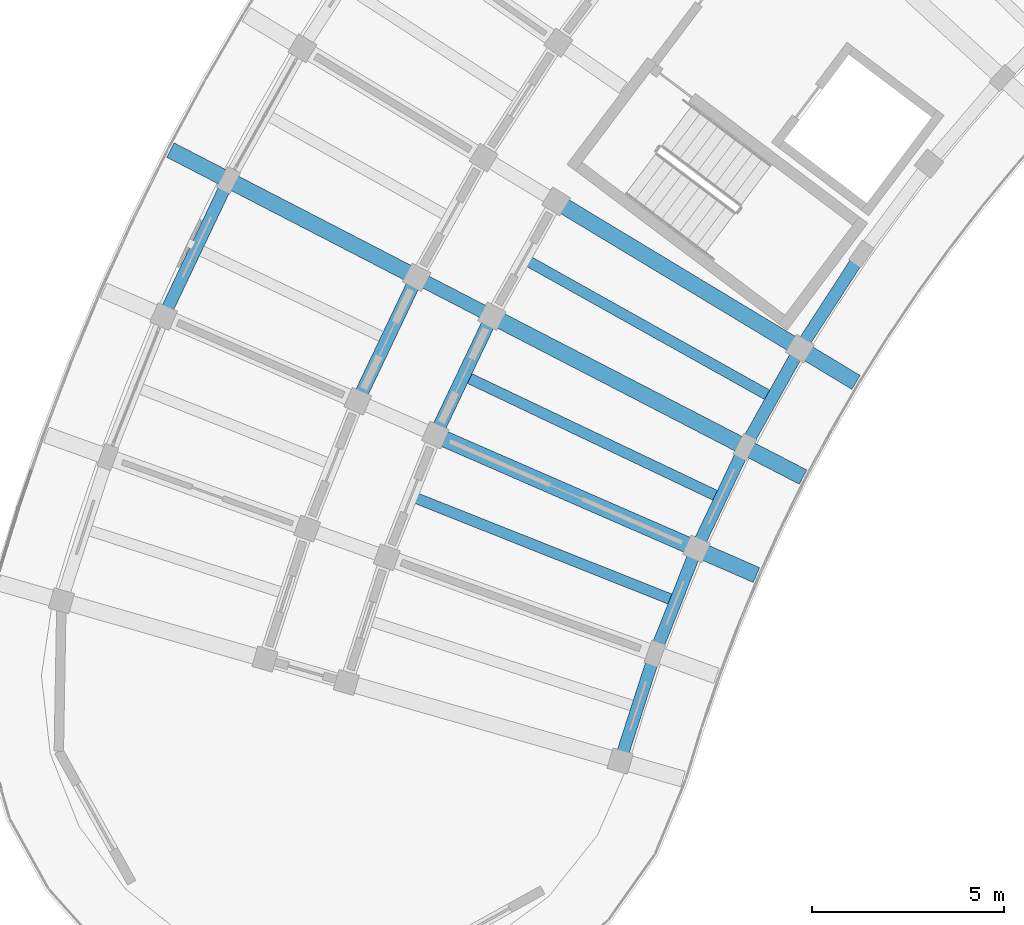
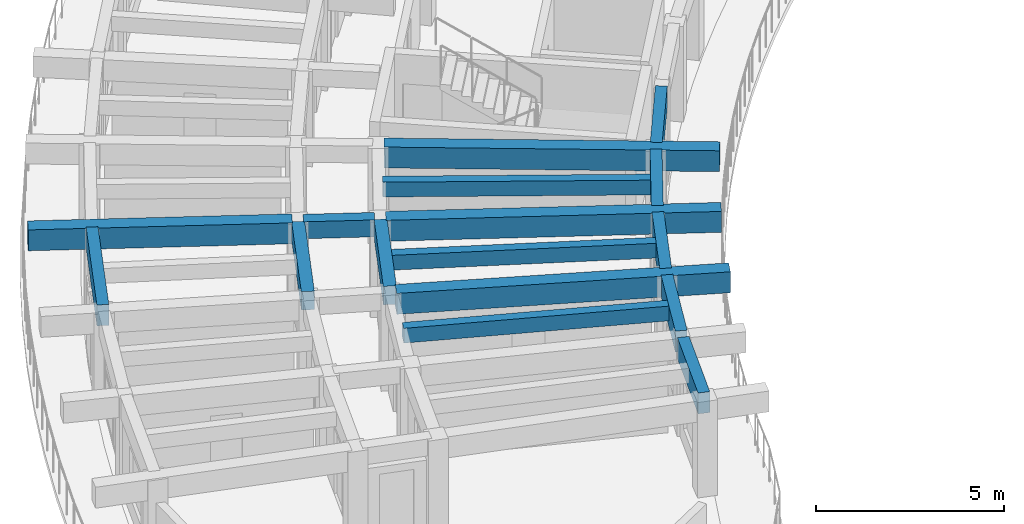
# One storey, part 13 of 96: 16 beams.
"""IFC4 building model written with IfcOpenShell, lengths in metres."""

from ifc_helpers import new_model, si_unit, direction, frame, origin, origin_2d, place, context, subcontext, project, spatial, rectangle, extrude, material, material_profile, profile_set, type_object, element, save


model = new_model("IFC4")

# Units and contexts
model_context = context("Model", 3, precision=1e-05, world=origin(), true_north=direction((0.0, 1.0)))
body_context = subcontext(model_context, "Body", "Model", "MODEL_VIEW")
ifc_project = project(units=[si_unit("LENGTHUNIT", "METRE"), si_unit("AREAUNIT", "SQUARE_METRE"), si_unit("VOLUMEUNIT", "CUBIC_METRE"), si_unit("PLANEANGLEUNIT", "RADIAN"), si_unit("MASSUNIT", "GRAM", prefix="KILO")], contexts=[model_context])

# Site, building, storey
site_placement = place(None, origin())
site = spatial("IfcSite", under=ifc_project, at=site_placement, CompositionType="ELEMENT")
building_placement = place(site_placement, origin())
building = spatial("IfcBuilding", under=site, at=building_placement, Name="Tanwirah Colonnade Gardens", CompositionType="ELEMENT")
storey_placement = place(building_placement, frame((0.0, 0.0, 12.199951171875)))
storey = spatial("IfcBuildingStorey", under=building, at=storey_placement, Name="L03", CompositionType="ELEMENT", Elevation=12.199951171875)

# Beams
ifc_material_1 = material(Name="Precast concrete C40/50", Category="concrete")
ifc_material_profile_1 = material_profile(ifc_material_1, rectangle(XDim=0.35009765625, YDim=0.550048828125, at=origin_2d()), Name="PC-BM 350x550")
ifc_profile_set_1 = profile_set([ifc_material_profile_1], Name="Precast concrete C40/50")
beam_type_1 = type_object("IfcBeamType", Name="BM-PC350A", PredefinedType="BEAM", material=ifc_profile_set_1)
beam_1_placement = place(storey_placement, frame((18.8056640625, 84.07666015625, 2.830078125), z_axis=(-0.888358643941, 0.459150214784, 0.0), x_axis=(-0.459150214784, -0.888358643941, 0.0)))
element("IfcBeam", 1, at=beam_1_placement, inside=storey, type_object=beam_type_1, Name="Block A L03 Corridor Tie Beam 15", PredefinedType="BEAM", context=body_context, shape_type="SweptSolid", body=[
    extrude(rectangle(XDim=0.35009765625, YDim=0.550048828125, at=origin_2d()), origin(), (0.0, 0.0, 1.0), 1.89990234375),
])
ifc_material_profile_2 = material_profile(ifc_material_1, rectangle(XDim=0.35009765625, YDim=0.60009765625, at=origin_2d()), Name="PC-BM 350x600")
ifc_profile_set_2 = profile_set([ifc_material_profile_2], Name="Precast concrete C40/50")
beam_type_2 = type_object("IfcBeamType", Name="BM-PC350B", PredefinedType="BEAM", material=ifc_profile_set_2)
beam_2_placement = place(storey_placement, frame((18.87451171875, 83.872314453125, 2.804931640625), z_axis=(-0.429620507728, -0.903009534468, 0.0), x_axis=(0.903009534468, -0.429620507728, 0.0)))
element("IfcBeam", 2, at=beam_2_placement, inside=storey, type_object=beam_type_2, Name="Block A L03 Circumferential Beam 15-R1", PredefinedType="BEAM", context=body_context, shape_type="SweptSolid", body=[
    extrude(rectangle(XDim=0.35009765625, YDim=0.60009765625, at=origin_2d()), origin(), (0.0, 0.0, 1.0), 3.1181640625),
])
beam_3_placement = place(storey_placement, frame((16.920166015625, 84.882568359375, 2.804931640625), z_axis=(-0.4295908638, -0.90302363742, 0.0), x_axis=(0.90302363742, -0.4295908638, 0.0)))
element("IfcBeam", 3, at=beam_3_placement, inside=storey, type_object=beam_type_2, Name="Block A L03 Circumferential Beam 15-R2", PredefinedType="BEAM", context=body_context, shape_type="SweptSolid", body=[
    extrude(rectangle(XDim=0.35009765625, YDim=0.60009765625, at=origin_2d()), origin(), (0.0, 0.0, 1.0), 3.26318359375),
])
ifc_material_2 = material(Name="Precast concrete C45/55", Category="concrete")
ifc_material_profile_3 = material_profile(ifc_material_2, rectangle(XDim=0.419921875, YDim=0.679931640625, at=origin_2d()), Name="PC-BM 420x680")
ifc_profile_set_3 = profile_set([ifc_material_profile_3], Name="Precast concrete C45/55")
beam_type_3 = type_object("IfcBeamType", Name="BM-PC420", PredefinedType="BEAM", material=ifc_profile_set_3)
beam_4_placement = place(storey_placement, frame((20.736083984375, 86.913330078125, 2.76513671875), z_axis=(0.856168728297, -0.516696340887, 0.0), x_axis=(0.516696340887, 0.856168728297, 0.0)))
element("IfcBeam", 4, at=beam_4_placement, inside=storey, type_object=beam_type_3, Name="Block A L03 Inner Radial Precast Girder 14", PredefinedType="BEAM", context=body_context, shape_type="SweptSolid", body=[
    extrude(rectangle(XDim=0.419921875, YDim=0.679931640625, at=origin_2d()), origin(), (0.0, 0.0, 1.0), 8.9501953125),
])
beam_5_placement = place(storey_placement, frame((19.072265625, 83.93896484375, 2.76513671875), z_axis=(0.888345427876, -0.459175784175, 0.0), x_axis=(0.459175784175, 0.888345427876, 0.0)))
element("IfcBeam", 5, at=beam_5_placement, inside=storey, type_object=beam_type_3, Name="Block A L03 Inner Radial Precast Girder 15", PredefinedType="BEAM", context=body_context, shape_type="SweptSolid", body=[
    extrude(rectangle(XDim=0.419921875, YDim=0.679931640625, at=origin_2d()), origin(), (0.0, 0.0, 1.0), 8.949951171875),
])
beam_6_placement = place(storey_placement, frame((16.851318359375, 85.0869140625, 2.76513671875), z_axis=(-0.888348690665, 0.459169471758, 0.0), x_axis=(-0.459169471758, -0.888348690665, 0.0)))
element("IfcBeam", 6, at=beam_6_placement, inside=storey, type_object=beam_type_3, Name="Block A L03 Outer Radial Precast Girder 15", PredefinedType="BEAM", context=body_context, shape_type="SweptSolid", body=[
    extrude(rectangle(XDim=0.419921875, YDim=0.679931640625, at=origin_2d()), origin(), (0.0, 0.0, 1.0), 7.0498046875),
])
beam_7_placement = place(storey_placement, frame((17.60791015625, 80.861328125, 2.76513671875), z_axis=(0.916669317869, -0.399646545934, 0.0), x_axis=(0.399646545934, 0.916669317869, 0.0)))
element("IfcBeam", 7, at=beam_7_placement, inside=storey, type_object=beam_type_3, Name="Block A L03 Inner Radial Precast Girder 16", PredefinedType="BEAM", context=body_context, shape_type="SweptSolid", body=[
    extrude(rectangle(XDim=0.419921875, YDim=0.679931640625, at=origin_2d()), origin(), (0.0, 0.0, 1.0), 8.9501953125),
])
ifc_material_profile_4 = material_profile(ifc_material_1, rectangle(XDim=0.280029296875, YDim=0.47998046875, at=origin_2d()), Name="PC-JST 280x480")
ifc_profile_set_4 = profile_set([ifc_material_profile_4], Name="Precast concrete C40/50")
beam_type_4 = type_object("IfcBeamType", Name="JST-PC280", PredefinedType="JOIST", material=ifc_profile_set_4)
for number, where, z_axis, x_axis, name in (
    (8, (26.102294921875, 81.958984375, 2.864990234375), (-0.872726875563, 0.488208767506, 0.0), (-0.488208767506, -0.872726875563, 0.0), "Block A L03 Inner Precast Floor Joist 14"),
    (9, (24.753173828125, 79.348876953125, 2.864990234375), (-0.903005429363, 0.429629136048, 0.0), (-0.429629136048, -0.903005429363, 0.0), "Block A L03 Inner Precast Floor Joist 15"),
):
    element("IfcBeam", number, at=place(storey_placement, frame(where, z_axis=z_axis, x_axis=x_axis)), inside=storey, type_object=beam_type_4, Name=name, PredefinedType="JOIST", context=body_context, shape_type="SweptSolid", body=[
        extrude(rectangle(XDim=0.280029296875, YDim=0.47998046875, at=origin_2d()), origin(), (0.0, 0.0, 1.0), 7.16015625),
    ])
beam_8_placement = place(storey_placement, frame((23.578857421875, 76.655517578125, 2.864990234375), z_axis=(-0.929344232768, 0.369214432303, 0.0), x_axis=(-0.369214432303, -0.929344232768, 0.0)))
element("IfcBeam", 10, at=beam_8_placement, inside=storey, type_object=beam_type_4, Name="Block A L03 Inner Precast Floor Joist 16", PredefinedType="JOIST", context=body_context, shape_type="SweptSolid", body=[
    extrude(rectangle(XDim=0.280029296875, YDim=0.47998046875, at=origin_2d()), origin(), (0.0, 0.0, 1.0), 7.159912109375),
])
ifc_material_profile_5 = material_profile(ifc_material_2, rectangle(XDim=0.320068359375, YDim=0.679931640625, at=origin_2d()), Name="PC-SP 320x680")
ifc_profile_set_5 = profile_set([ifc_material_profile_5], Name="Precast concrete C45/55")
beam_type_5 = type_object("IfcBeamType", Name="SP-PC320", PredefinedType="SPANDREL", material=ifc_profile_set_5)
beam_9_placement = place(storey_placement, frame((28.45751953125, 85.4990234375, 2.76513671875), z_axis=(-0.544570677829, -0.838714955661, 0.0), x_axis=(0.838714955661, -0.544570677829, 0.0)))
element("IfcBeam", 11, at=beam_9_placement, inside=storey, type_object=beam_type_5, Name="Block A L03 Circumferential Beam 13-R0", PredefinedType="SPANDREL", context=body_context, shape_type="SweptSolid", body=[
    extrude(rectangle(XDim=0.320068359375, YDim=0.679931640625, at=origin_2d()), origin(), (0.0, 0.0, 1.0), 2.63037109375),
])
beam_10_placement = place(storey_placement, frame((26.8701171875, 83.036376953125, 2.76513671875), z_axis=(-0.488170837957, -0.872748092503, 0.0), x_axis=(0.872748092503, -0.488170837957, 0.0)))
element("IfcBeam", 12, at=beam_10_placement, inside=storey, type_object=beam_type_5, Name="Block A L03 Circumferential Beam 14-R0", PredefinedType="SPANDREL", context=body_context, shape_type="SweptSolid", body=[
    extrude(rectangle(XDim=0.320068359375, YDim=0.679931640625, at=origin_2d()), origin(), (0.0, 0.0, 1.0), 2.630126953125),
])
beam_11_placement = place(storey_placement, frame((25.448486328125, 80.474609375, 2.76513671875), z_axis=(-0.42964173036, -0.902999437172, 0.0), x_axis=(0.902999437172, -0.42964173036, 0.0)))
element("IfcBeam", 13, at=beam_11_placement, inside=storey, type_object=beam_type_5, Name="Block A L03 Circumferential Beam 15-R0", PredefinedType="SPANDREL", context=body_context, shape_type="SweptSolid", body=[
    extrude(rectangle(XDim=0.320068359375, YDim=0.679931640625, at=origin_2d()), origin(), (0.0, 0.0, 1.0), 2.63037109375),
])
beam_12_placement = place(storey_placement, frame((12.0341796875, 87.407958984375, 2.76513671875), z_axis=(-0.429593766142, -0.903022256698, 0.0), x_axis=(0.903022256698, -0.429593766142, 0.0)))
element("IfcBeam", 14, at=beam_12_placement, inside=storey, type_object=beam_type_5, Name="Block A L03 Circumferential Beam 15-R3", PredefinedType="SPANDREL", context=body_context, shape_type="SweptSolid", body=[
    extrude(rectangle(XDim=0.320068359375, YDim=0.679931640625, at=origin_2d()), origin(), (0.0, 0.0, 1.0), 3.625732421875),
])
beam_13_placement = place(storey_placement, frame((24.198486328125, 77.824462890625, 2.76513671875), z_axis=(-0.369245181709, -0.929332015904, 0.0), x_axis=(0.929332015904, -0.369245181709, 0.0)))
element("IfcBeam", 15, at=beam_13_placement, inside=storey, type_object=beam_type_5, Name="Block A L03 Circumferential Beam 16-R0", PredefinedType="SPANDREL", context=body_context, shape_type="SweptSolid", body=[
    extrude(rectangle(XDim=0.320068359375, YDim=0.679931640625, at=origin_2d()), origin(), (0.0, 0.0, 1.0), 2.630126953125),
])
beam_14_placement = place(storey_placement, frame((23.1259765625, 75.097900390625, 2.76513671875), z_axis=(-0.307219720817, -0.951638609526, 0.0), x_axis=(0.951638609526, -0.307219720817, 0.0)))
element("IfcBeam", 16, at=beam_14_placement, inside=storey, type_object=beam_type_5, Name="Block A L03 Circumferential Beam 17-R0", PredefinedType="SPANDREL", context=body_context, shape_type="SweptSolid", body=[
    extrude(rectangle(XDim=0.320068359375, YDim=0.679931640625, at=origin_2d()), origin(), (0.0, 0.0, 1.0), 2.63037109375),
])

save(model, "model.ifc")
